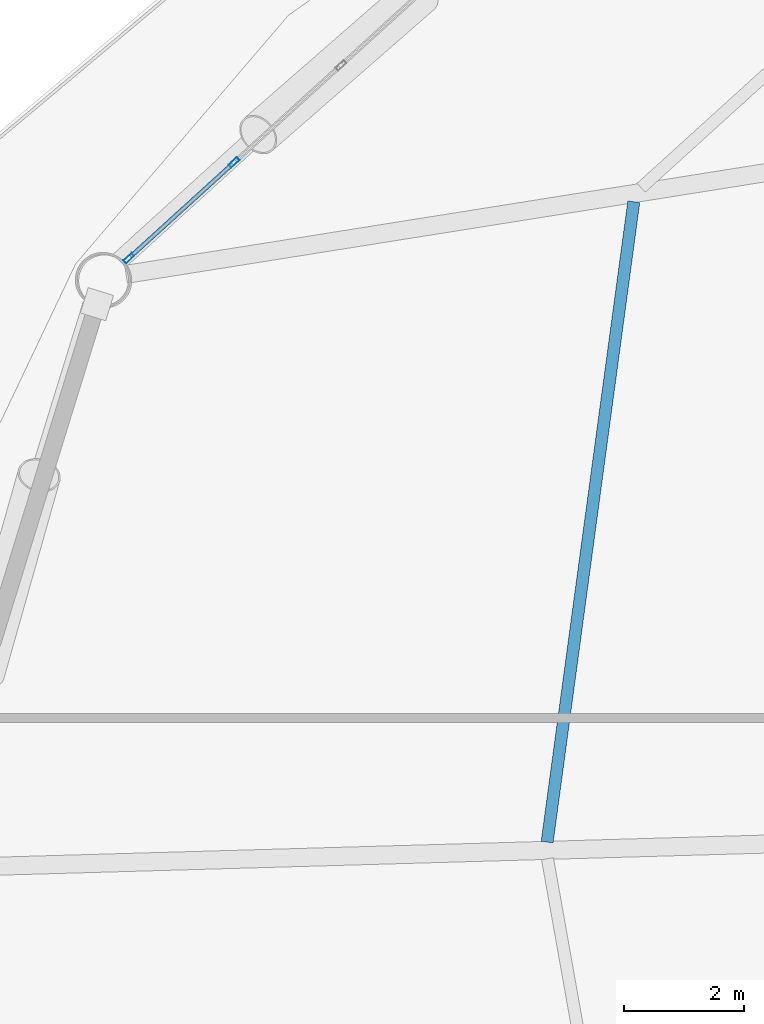
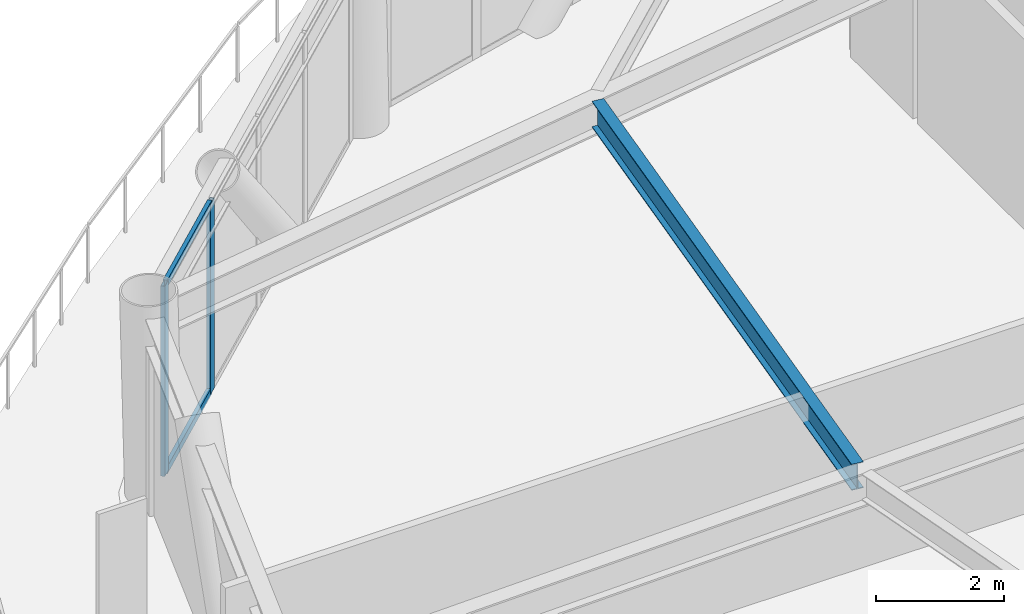
# One storey, part 9 of 22: 4 members, 1 beam, 1 element without a shape of its own.
"""IFC4 building model written with IfcOpenShell, lengths in metres."""

from ifc_helpers import new_model, si_unit, direction, frame, origin, origin_2d, place, context, subcontext, project, spatial, hollow_rectangle, i_section, extrude, material, layer, layer_set, material_profile, profile_set, type_object, element, aggregate, save


model = new_model("IFC4")

# Units and contexts
model_context = context("Model", 3, precision=1e-05, world=origin(), true_north=direction((0.0, 1.0)))
body_context = subcontext(model_context, "Body", "Model", "MODEL_VIEW")
ifc_project = project(units=[si_unit("LENGTHUNIT", "METRE"), si_unit("AREAUNIT", "SQUARE_METRE"), si_unit("VOLUMEUNIT", "CUBIC_METRE"), si_unit("PLANEANGLEUNIT", "RADIAN"), si_unit("MASSUNIT", "GRAM", prefix="KILO")], contexts=[model_context])

# Site, building, storey
site_placement = place(None, origin())
site = spatial("IfcSite", under=ifc_project, at=site_placement, CompositionType="ELEMENT")
building_placement = place(site_placement, origin())
building = spatial("IfcBuilding", under=site, at=building_placement, Name="Varnakorn Sky Granary", CompositionType="ELEMENT")
storey_placement = place(building_placement, frame((0.0, 0.0, 66.60009765625)))
storey = spatial("IfcBuildingStorey", under=building, at=storey_placement, Name="L16", CompositionType="ELEMENT", Elevation=66.60009765625)

# Beam
ifc_material_1 = material(Name="Steel S355JR", Category="steel")
ifc_material_profile_1 = material_profile(ifc_material_1, i_section(OverallWidth=0.199951171875, OverallDepth=0.5, WebThickness=0.01025390625, FlangeThickness=0.01611328125, at=origin_2d()), Name="IPE 500")
ifc_profile_set_1 = profile_set([ifc_material_profile_1], Name="Steel S355JR")
beam_type = type_object("IfcBeamType", Name="BM-SEC-Z1", PredefinedType="BEAM", material=ifc_profile_set_1)
beam_placement = place(storey_placement, frame((-11.30322265625, 11.071533203125, 3.389892578125), z_axis=(-0.134112968632, -0.990966049693, 0.0), x_axis=(0.990966049693, -0.134112968632, 0.0)))
element("IfcBeam", 1, at=beam_placement, inside=storey, type_object=beam_type, Name="Secondary Floor Chord Beam MSB06 L16", PredefinedType="BEAM", context=body_context, shape_type="SweptSolid", body=[
    extrude(i_section(OverallWidth=0.199951171875, OverallDepth=0.5, WebThickness=0.01025390625, FlangeThickness=0.01611328125, at=origin_2d()), origin(), (0.0, 0.0, 1.0), 10.7294921875),
])

# Curtain wall, members
ifc_material_2 = material(Name="Anodised Bronze Aluminium Alloy 6063-T6", Category="aluminium")
ifc_layer = layer(ifc_material_2, 0.18994140625, Name="Anodised Bronze Aluminium Alloy 6063-T6")
ifc_layer_set = layer_set([ifc_layer], Name="Anodised Bronze Aluminium Alloy 6063-T6")
curtain_wall_type = type_object("IfcCurtainWallType", Name="CW-FRM-1", PredefinedType="USERDEFINED", material=ifc_layer_set)
curtain_wall_placement = place(storey_placement, origin())
curtain_wall = element("IfcCurtainWall", 2, at=curtain_wall_placement, inside=storey, type_object=curtain_wall_type, Name="Unitised Curtain Wall CW3 CW-L16-B05", ObjectType="CURTAIN WALL", PredefinedType="USERDEFINED")
ifc_material_profile_2 = material_profile(ifc_material_2, hollow_rectangle(XDim=0.070068359375, YDim=0.18505859375, WallThickness=0.00390625, at=origin_2d()), Name="ALU MULL 70x185")
ifc_profile_set_2 = profile_set([ifc_material_profile_2], Name="Anodised Bronze Aluminium Alloy 6063-T6")
member_type_1 = type_object("IfcMemberType", Name="CW-FRM-1-MULL", PredefinedType="MULLION", material=ifc_profile_set_2)
member_1_placement = place(storey_placement, frame((-19.688720703125, 10.134765625, 0.0), z_axis=(0.0, 0.0, 1.0), x_axis=(-0.672775554803, 0.739846641446, 0.0)))
member_1 = element("IfcMember", 3, at=member_1_placement, type_object=member_type_1, Name="CW3 mullion 1", PredefinedType="MULLION", context=body_context, shape_type="SweptSolid", body=[
    extrude(hollow_rectangle(XDim=0.070068359375, YDim=0.18505859375, WallThickness=0.00390625, at=origin_2d()), origin(), (0.0, 0.0, 1.0), 3.639892578125),
])
member_2_placement = place(storey_placement, frame((-17.940673828125, 11.724365234375, 0.0), z_axis=(0.0, 0.0, 1.0), x_axis=(-0.672775554803, 0.739846641446, 0.0)))
member_2 = element("IfcMember", 4, at=member_2_placement, type_object=member_type_1, Name="CW3 mullion 2", PredefinedType="MULLION", context=body_context, shape_type="SweptSolid", body=[
    extrude(hollow_rectangle(XDim=0.070068359375, YDim=0.18505859375, WallThickness=0.00390625, at=origin_2d()), origin(), (0.0, 0.0, 1.0), 3.639892578125),
])
ifc_material_profile_3 = material_profile(ifc_material_2, hollow_rectangle(XDim=0.070068359375, YDim=0.139892578125, WallThickness=0.00341796875, at=origin_2d()), Name="ALU TRAN 70x140")
ifc_profile_set_3 = profile_set([ifc_material_profile_3], Name="Anodised Bronze Aluminium Alloy 6063-T6")
member_type_2 = type_object("IfcMemberType", Name="CW-FRM-1-TRAN", PredefinedType="USERDEFINED", material=ifc_profile_set_3)
member_3_placement = place(storey_placement, frame((-19.66259765625, 10.158447265625, 0.034912109375), z_axis=(0.739858144539, 0.672762904714, 0.0), x_axis=(-0.672762904714, 0.739858144539, 0.0)))
member_3 = element("IfcMember", 5, at=member_3_placement, type_object=member_type_2, Name="CW3 transom 1.1", ObjectType="TRANSOM", PredefinedType="USERDEFINED", context=body_context, shape_type="SweptSolid", body=[
    extrude(hollow_rectangle(XDim=0.070068359375, YDim=0.139892578125, WallThickness=0.00341796875, at=origin_2d()), origin(), (0.0, 0.0, 1.0), 2.29248046875),
])
member_4_placement = place(storey_placement, frame((-19.66259765625, 10.158447265625, 3.60498046875), z_axis=(0.739858144539, 0.672762904714, 0.0), x_axis=(-0.672762904714, 0.739858144539, 0.0)))
member_4 = element("IfcMember", 6, at=member_4_placement, type_object=member_type_2, Name="CW3 transom 1.2", ObjectType="TRANSOM", PredefinedType="USERDEFINED", context=body_context, shape_type="SweptSolid", body=[
    extrude(hollow_rectangle(XDim=0.070068359375, YDim=0.139892578125, WallThickness=0.00341796875, at=origin_2d()), origin(), (0.0, 0.0, 1.0), 2.29248046875),
])
aggregate(curtain_wall, [member_1, member_2, member_3, member_4])

save(model, "model.ifc")
